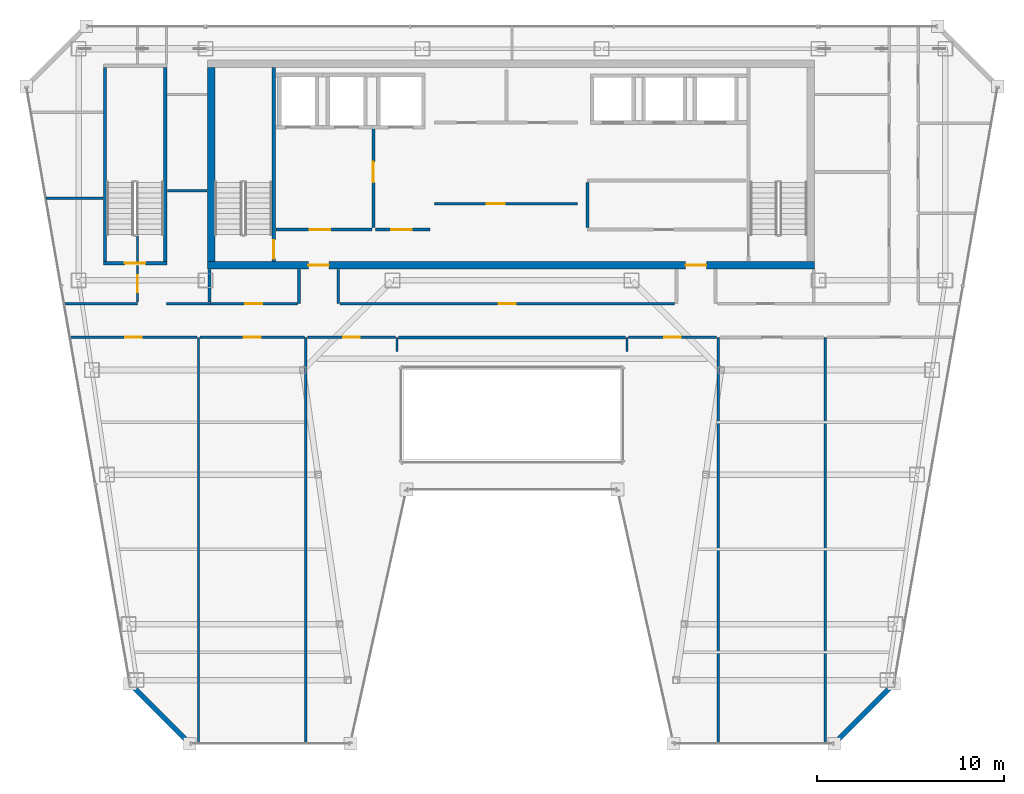
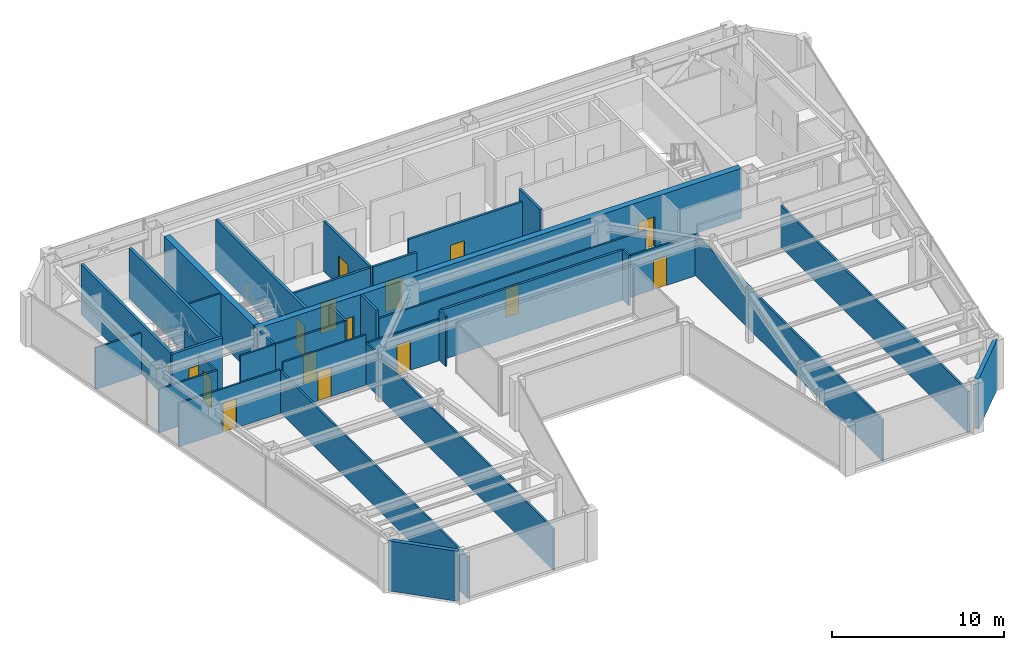
# One storey, part 26 of 32: 35 walls, 15 doors, 15 openings.
"""IFC4 building model written with IfcOpenShell, lengths in metres."""

from ifc_helpers import new_model, si_unit, direction, frame, frame_2d, origin, place, context, subcontext, project, spatial, rectangle, extrude, material, layer, layer_set, type_object, element, fill, save


model = new_model("IFC4")

# Units and contexts
model_context = context("Model", 3, precision=1e-05, world=origin(), true_north=direction((0.0, 1.0)))
body_context = subcontext(model_context, "Body", "Model", "MODEL_VIEW")
ifc_project = project(units=[si_unit("LENGTHUNIT", "METRE"), si_unit("AREAUNIT", "SQUARE_METRE"), si_unit("VOLUMEUNIT", "CUBIC_METRE"), si_unit("PLANEANGLEUNIT", "RADIAN"), si_unit("MASSUNIT", "GRAM", prefix="KILO")], contexts=[model_context])

# Site, building, storey
site_placement = place(None, origin())
site = spatial("IfcSite", under=ifc_project, at=site_placement, CompositionType="ELEMENT")
building_placement = place(site_placement, origin())
building = spatial("IfcBuilding", under=site, at=building_placement, Name="Saevonmaru Cultural Tower", CompositionType="ELEMENT")
storey_placement = place(building_placement, frame((0.0, 0.0, 242.0)))
storey = spatial("IfcBuildingStorey", under=building, at=storey_placement, Name="L56", CompositionType="ELEMENT", Elevation=242.0)

# Wall, openings, doors
ifc_material_1 = material(Name="Concrete C50/60", Category="concrete")
ifc_layer_1 = layer(ifc_material_1, 0.39990234375, Name="Concrete C50/60")
ifc_layer_set_1 = layer_set([ifc_layer_1], Name="Concrete C50/60")
wall_type_1 = type_object("IfcWallType", Name="WL-CORE-400", PredefinedType="SHEAR", material=ifc_layer_set_1)
wall_1_placement = place(storey_placement, frame((13.699951171875, 43.199951171875, 0.0), z_axis=(0.0, 0.0, 1.0), x_axis=(1.0, 0.0, 0.0)))
wall_1 = element("IfcWall", 1, at=wall_1_placement, inside=storey, type_object=wall_type_1, Name="L56 Tower RC core shear wall S", PredefinedType="SHEAR", context=body_context, shape_type="SweptSolid", body=[
    extrude(rectangle(XDim=32.5, YDim=0.39990234375, at=frame_2d((16.25, 0.0))), origin(), (0.0, 0.0, 1.0), 3.550048828125),
])
opening_1_placement = place(wall_1_placement, frame((5.39990234375, 0.0, 0.0)))
opening_1 = element("IfcOpeningElement", 2, at=opening_1_placement, cuts=wall_1, Name="Opening FD-2", PredefinedType="OPENING", context=body_context, shape_type="SweptSolid", body=[
    extrude(rectangle(XDim=1.10009765625, YDim=2.14990234375, at=frame_2d((0.550048828125, 1.074951171875))), frame((0.0, 0.2099609375, 0.0), z_axis=(0.0, -1.0, 0.0), x_axis=(1.0, 0.0, 0.0)), (0.0, 0.0, 1.0), 0.419921875),
])
opening_2_placement = place(wall_1_placement, frame((25.60009765625, 0.0, 0.0)))
opening_2 = element("IfcOpeningElement", 3, at=opening_2_placement, cuts=wall_1, Name="Opening FD-2", PredefinedType="OPENING", context=body_context, shape_type="SweptSolid", body=[
    extrude(rectangle(XDim=1.10009765625, YDim=2.14990234375, at=frame_2d((0.550048828125, 1.074951171875))), frame((0.0, 0.2099609375, 0.0), z_axis=(0.0, -1.0, 0.0), x_axis=(1.0, 0.0, 0.0)), (0.0, 0.0, 1.0), 0.419921875),
])
ifc_material_2 = material(Name="Satin Bronze Anodised Aluminium", Category="aluminium")
door_type_1 = type_object("IfcDoorType", Name="DR-FD60-1100", OperationType="SINGLE_SWING_LEFT", PredefinedType="DOOR", material=ifc_material_2)
door_1_placement = place(opening_1_placement, origin())
door_1 = element("IfcDoor", 4, at=door_1_placement, inside=storey, type_object=door_type_1, Name="L56 Core West Lobby Fire Door", OperationType="SINGLE_SWING_LEFT", OverallHeight=2.14990234375, OverallWidth=1.10009765625, PredefinedType="DOOR", context=body_context, shape_type="SweptSolid", body=[
    extrude(rectangle(XDim=1.10009765625, YDim=2.14990234375, at=frame_2d((0.550048828125, 1.074951171875))), frame((0.0, 0.02490234375, 0.0), z_axis=(0.0, -1.0, 0.0), x_axis=(1.0, 0.0, 0.0)), (0.0, 0.0, 1.0), 0.050048828125),
])
fill(opening_1, door_1)
door_2_placement = place(opening_2_placement, origin())
door_2 = element("IfcDoor", 5, at=door_2_placement, inside=storey, type_object=door_type_1, Name="L56 Core East Lobby Fire Door", OperationType="SINGLE_SWING_LEFT", OverallHeight=2.14990234375, OverallWidth=1.10009765625, PredefinedType="DOOR", context=body_context, shape_type="SweptSolid", body=[
    extrude(rectangle(XDim=1.10009765625, YDim=2.14990234375, at=frame_2d((0.550048828125, 1.074951171875))), frame((0.0, 0.02490234375, 0.0), z_axis=(0.0, -1.0, 0.0), x_axis=(1.0, 0.0, 0.0)), (0.0, 0.0, 1.0), 0.050048828125),
])
fill(opening_2, door_2)

# Wall
wall_2_placement = place(storey_placement, frame((13.89990234375, 43.39990234375, 0.0), z_axis=(0.0, 0.0, 1.0), x_axis=(0.0, 1.0, 0.0)))
element("IfcWall", 6, at=wall_2_placement, inside=storey, type_object=wall_type_1, Name="L56 Tower RC core shear wall W", PredefinedType="SHEAR", context=body_context, shape_type="SweptSolid", body=[
    extrude(rectangle(XDim=10.400146484375, YDim=0.39990234375, at=frame_2d((5.2001953125, 0.0))), origin(), (0.0, 0.0, 1.0), 3.550048828125),
])

# Wall, opening, door
ifc_material_3 = material(Name="Gypsum Fireboard Partition", Category="gypsum")
ifc_layer_2 = layer(ifc_material_3, 0.14990234375, Name="Gypsum Fireboard Partition")
ifc_layer_set_2 = layer_set([ifc_layer_2], Name="Gypsum Fireboard Partition")
wall_type_2 = type_object("IfcWallType", Name="WL-CORE-PART-150", PredefinedType="PARTITIONING", material=ifc_layer_set_2)
wall_3_placement = place(storey_placement, frame((17.360107421875, 45.1201171875, 0.0), z_axis=(0.0, 0.0, 1.0), x_axis=(1.0, 0.0, 0.0)))
wall_3 = element("IfcWall", 7, at=wall_3_placement, inside=storey, type_object=wall_type_2, Name="L56 Firefighting Lift Lobby South Wall", PredefinedType="PARTITIONING", context=body_context, shape_type="SweptSolid", body=[
    extrude(rectangle(XDim=5.139892578125, YDim=0.14990234375, at=frame_2d((2.56982421875, 0.0))), origin(), (0.0, 0.0, 1.0), 3.550048828125),
])
opening_3_placement = place(wall_3_placement, frame((1.800048828125, 0.0, 0.0)))
opening_3 = element("IfcOpeningElement", 8, at=opening_3_placement, cuts=wall_3, Name="Opening FD-2", PredefinedType="OPENING", context=body_context, shape_type="SweptSolid", body=[
    extrude(rectangle(XDim=1.10009765625, YDim=2.14990234375, at=frame_2d((0.550048828125, 1.074951171875))), frame((0.0, 0.0849609375, 0.0), z_axis=(0.0, -1.0, 0.0), x_axis=(1.0, 0.0, 0.0)), (0.0, 0.0, 1.0), 0.169921875),
])
door_3_placement = place(opening_3_placement, origin())
door_3 = element("IfcDoor", 9, at=door_3_placement, inside=storey, type_object=door_type_1, Name="L56 Firefighting Lift Lobby South Door", OperationType="SINGLE_SWING_LEFT", OverallHeight=2.14990234375, OverallWidth=1.10009765625, PredefinedType="DOOR", context=body_context, shape_type="SweptSolid", body=[
    extrude(rectangle(XDim=1.10009765625, YDim=2.14990234375, at=frame_2d((0.550048828125, 1.074951171875))), frame((0.0, 0.02490234375, 0.0), z_axis=(0.0, -1.0, 0.0), x_axis=(1.0, 0.0, 0.0)), (0.0, 0.0, 1.0), 0.050048828125),
])
fill(opening_3, door_3)

wall_4_placement = place(storey_placement, frame((22.580078125, 50.550048828125, 0.0), z_axis=(0.0, 0.0, 1.0), x_axis=(0.0, -1.0, 0.0)))
wall_4 = element("IfcWall", 10, at=wall_4_placement, inside=storey, type_object=wall_type_2, Name="L56 Firefighting Lift Lobby East Wall", PredefinedType="PARTITIONING", context=body_context, shape_type="SweptSolid", body=[
    extrude(rectangle(XDim=5.330078125, YDim=0.14990234375, at=frame_2d((2.6650390625, 0.0))), origin(), (0.0, 0.0, 1.0), 3.550048828125),
])
opening_4_placement = place(wall_4_placement, frame((1.800048828125, 0.0, 0.0)))
opening_4 = element("IfcOpeningElement", 11, at=opening_4_placement, cuts=wall_4, Name="Opening FD-2", PredefinedType="OPENING", context=body_context, shape_type="SweptSolid", body=[
    extrude(rectangle(XDim=1.10009765625, YDim=2.14990234375, at=frame_2d((0.550048828125, 1.074951171875))), frame((0.0, 0.0849609375, 0.0), z_axis=(0.0, -1.0, 0.0), x_axis=(1.0, 0.0, 0.0)), (0.0, 0.0, 1.0), 0.169921875),
])
door_4_placement = place(opening_4_placement, origin())
door_4 = element("IfcDoor", 12, at=door_4_placement, inside=storey, type_object=door_type_1, Name="L56 Firefighting Lift Lobby East Door", OperationType="SINGLE_SWING_LEFT", OverallHeight=2.14990234375, OverallWidth=1.10009765625, PredefinedType="DOOR", context=body_context, shape_type="SweptSolid", body=[
    extrude(rectangle(XDim=1.10009765625, YDim=2.14990234375, at=frame_2d((0.550048828125, 1.074951171875))), frame((0.0, 0.02490234375, 0.0), z_axis=(0.0, -1.0, 0.0), x_axis=(1.0, 0.0, 0.0)), (0.0, 0.0, 1.0), 0.050048828125),
])
fill(opening_4, door_4)

wall_5_placement = place(storey_placement, frame((22.679931640625, 45.1201171875, 0.0), z_axis=(0.0, 0.0, 1.0), x_axis=(1.0, 0.0, 0.0)))
wall_5 = element("IfcWall", 13, at=wall_5_placement, inside=storey, type_object=wall_type_2, Name="L56 Service Lift Vestibule Wall", PredefinedType="PARTITIONING", context=body_context, shape_type="SweptSolid", body=[
    extrude(rectangle(XDim=2.920166015625, YDim=0.14990234375, at=frame_2d((1.4599609375, 0.0))), origin(), (0.0, 0.0, 1.0), 3.550048828125),
])
opening_5_placement = place(wall_5_placement, frame((0.85009765625, 0.0, 0.0)))
opening_5 = element("IfcOpeningElement", 14, at=opening_5_placement, cuts=wall_5, Name="Opening FD-2", PredefinedType="OPENING", context=body_context, shape_type="SweptSolid", body=[
    extrude(rectangle(XDim=1.10009765625, YDim=2.14990234375, at=frame_2d((0.550048828125, 1.074951171875))), frame((0.0, 0.0849609375, 0.0), z_axis=(0.0, -1.0, 0.0), x_axis=(1.0, 0.0, 0.0)), (0.0, 0.0, 1.0), 0.169921875),
])
door_5_placement = place(opening_5_placement, origin())
door_5 = element("IfcDoor", 15, at=door_5_placement, inside=storey, type_object=door_type_1, Name="L56 Service Lift Vestibule Door", OperationType="SINGLE_SWING_LEFT", OverallHeight=2.14990234375, OverallWidth=1.10009765625, PredefinedType="DOOR", context=body_context, shape_type="SweptSolid", body=[
    extrude(rectangle(XDim=1.10009765625, YDim=2.14990234375, at=frame_2d((0.550048828125, 1.074951171875))), frame((0.0, 0.02490234375, 0.0), z_axis=(0.0, -1.0, 0.0), x_axis=(1.0, 0.0, 0.0)), (0.0, 0.0, 1.0), 0.050048828125),
])
fill(opening_5, door_5)

# Wall
wall_6_placement = place(storey_placement, frame((34.050048828125, 45.219970703125, 0.0), z_axis=(0.0, 0.0, 1.0), x_axis=(0.0, 1.0, 0.0)))
element("IfcWall", 16, at=wall_6_placement, inside=storey, type_object=wall_type_2, Name="L56 Core Service West Wall", PredefinedType="PARTITIONING", context=body_context, shape_type="SweptSolid", body=[
    extrude(rectangle(XDim=2.429931640625, YDim=0.14990234375, at=frame_2d((1.21484375, 0.0))), origin(), (0.0, 0.0, 1.0), 3.550048828125),
])

# Wall, opening, door
wall_7_placement = place(storey_placement, frame((25.85009765625, 46.5, 0.0), z_axis=(0.0, 0.0, 1.0), x_axis=(1.0, 0.0, 0.0)))
wall_7 = element("IfcWall", 17, at=wall_7_placement, inside=storey, type_object=wall_type_2, Name="L56 Reclaimed Mid-Shaft Wall", PredefinedType="PARTITIONING", context=body_context, shape_type="SweptSolid", body=[
    extrude(rectangle(XDim=7.64990234375, YDim=0.14990234375, at=frame_2d((3.824951171875, 0.0))), origin(), (0.0, 0.0, 1.0), 3.550048828125),
])
opening_6_placement = place(wall_7_placement, frame((2.800048828125, 0.0, 0.0)))
opening_6 = element("IfcOpeningElement", 18, at=opening_6_placement, cuts=wall_7, Name="Opening FD-4", PredefinedType="OPENING", context=body_context, shape_type="SweptSolid", body=[
    extrude(rectangle(XDim=0.949951171875, YDim=2.14990234375, at=frame_2d((0.47509765625, 1.074951171875))), frame((0.0, 0.0849609375, 0.0), z_axis=(0.0, -1.0, 0.0), x_axis=(1.0, 0.0, 0.0)), (0.0, 0.0, 1.0), 0.169921875),
])
door_type_2 = type_object("IfcDoorType", Name="DR-FD60-950", OperationType="SINGLE_SWING_LEFT", PredefinedType="DOOR", material=ifc_material_2)
door_6_placement = place(opening_6_placement, origin())
door_6 = element("IfcDoor", 19, at=door_6_placement, inside=storey, type_object=door_type_2, Name="L56 Reclaimed Manuscript Storage Door", OperationType="SINGLE_SWING_LEFT", OverallHeight=2.14990234375, OverallWidth=0.949951171875, PredefinedType="DOOR", context=body_context, shape_type="SweptSolid", body=[
    extrude(rectangle(XDim=0.949951171875, YDim=2.14990234375, at=frame_2d((0.47509765625, 1.074951171875))), frame((0.0, 0.02490234375, 0.0), z_axis=(0.0, -1.0, 0.0), x_axis=(1.0, 0.0, 0.0)), (0.0, 0.0, 1.0), 0.050048828125),
])
fill(opening_6, door_6)

# Walls
ifc_material_4 = material(Name="Granite-Clad Precast Concrete C40/50", Category="masonry")
ifc_layer_3 = layer(ifc_material_4, 0.260009765625, Name="Granite-Clad Precast Concrete C40/50")
ifc_layer_set_3 = layer_set([ifc_layer_3], Name="Granite-Clad Precast Concrete C40/50")
wall_type_3 = type_object("IfcWallType", Name="WL-EXT-SPANDREL-260", PredefinedType="STANDARD", material=ifc_layer_set_3)
for number, where, z_axis, x_axis, name in (
    (20, (9.659912109375, 20.68701171875, 0.0), (0.0, 0.0, 1.0), (0.70707775441, -0.707135806771, 0.0), "L56 Chamfer Corner Spandrel Wall E1"),
    (21, (47.366455078125, 17.713134765625, 0.0), (0.0, 0.0, 1.0), (0.70707775441, 0.707135806771, 0.0), "L56 Chamfer Corner Spandrel Wall E7"),
):
    element("IfcWall", number, at=place(storey_placement, frame(where, z_axis=z_axis, x_axis=x_axis)), inside=storey, type_object=wall_type_3, Name=name, PredefinedType="STANDARD", context=body_context, shape_type="SweptSolid", body=[
        extrude(rectangle(XDim=4.20556640625, YDim=0.260009765625, at=frame_2d((2.102783203125, 0.0))), origin(), (0.0, 0.0, 1.0), 3.550048828125),
    ])
ifc_layer_4 = layer(ifc_material_3, 0.14990234375, Name="Gypsum Fireboard Partition")
ifc_layer_set_4 = layer_set([ifc_layer_4], Name="Gypsum Fireboard Partition")
wall_type_4 = type_object("IfcWallType", Name="WL-PART-FIRE-150", PredefinedType="PARTITIONING", material=ifc_layer_set_4)
wall_8_placement = place(storey_placement, frame((13.800048828125, 41.22998046875, 0.0), z_axis=(0.0, 0.0, 1.0), x_axis=(0.0, 1.0, 0.0)))
element("IfcWall", 22, at=wall_8_placement, inside=storey, type_object=wall_type_4, Name="L56 Core Portal Side Wall W0", PredefinedType="PARTITIONING", context=body_context, shape_type="SweptSolid", body=[
    extrude(rectangle(XDim=1.75, YDim=0.14990234375, at=frame_2d((0.875, 0.0))), origin(), (0.0, 0.0, 1.0), 3.550048828125),
])
for number, where, z_axis, x_axis, name in (
    (23, (18.60009765625, 41.14990234375, 0.0), (0.0, 0.0, 1.0), (0.0, 1.0, 0.0), "L56 Core Portal Side Wall W1"),
    (24, (20.699951171875, 41.14990234375, 0.0), (0.0, 0.0, 1.0), (0.0, 1.0, 0.0), "L56 Core Portal Side Wall W2"),
):
    element("IfcWall", number, at=place(storey_placement, frame(where, z_axis=z_axis, x_axis=x_axis)), inside=storey, type_object=wall_type_4, Name=name, PredefinedType="PARTITIONING", context=body_context, shape_type="SweptSolid", body=[
        extrude(rectangle(XDim=1.830078125, YDim=0.14990234375, at=frame_2d((0.9150390625, 0.0))), origin(), (0.0, 0.0, 1.0), 3.550048828125),
    ])
wall_9_placement = place(storey_placement, frame((23.929931640625, 39.35009765625, 0.0), z_axis=(0.0, 0.0, 1.0), x_axis=(1.0, 0.0, 0.0)))
element("IfcWall", 25, at=wall_9_placement, inside=storey, type_object=wall_type_4, Name="L56 North Atrium Corridor Wall", PredefinedType="PARTITIONING", context=body_context, shape_type="SweptSolid", body=[
    extrude(rectangle(XDim=12.14013671875, YDim=0.14990234375, at=frame_2d((6.070068359375, 0.0))), origin(), (0.0, 0.0, 1.0), 3.550048828125),
])
ifc_layer_5 = layer(ifc_material_3, 0.1201171875, Name="Gypsum Fireboard Partition")
ifc_layer_set_5 = layer_set([ifc_layer_5], Name="Gypsum Fireboard Partition")
wall_type_5 = type_object("IfcWallType", Name="WL-PART-GYP-120", PredefinedType="PARTITIONING", material=ifc_layer_set_5)
wall_10_placement = place(storey_placement, frame((6.0244140625, 41.14990234375, 0.0), z_axis=(0.0, 0.0, 1.0), x_axis=(1.0, 0.0, 0.0)))
element("IfcWall", 26, at=wall_10_placement, inside=storey, type_object=wall_type_5, Name="L56 NW Wing South Wall", PredefinedType="PARTITIONING", context=body_context, shape_type="SweptSolid", body=[
    extrude(rectangle(XDim=3.925537109375, YDim=0.1201171875, at=frame_2d((1.962890625, 0.0))), origin(), (0.0, 0.0, 1.0), 3.0849609375),
])
wall_11_placement = place(storey_placement, frame((11.5, 41.14990234375, 0.0), z_axis=(0.0, 0.0, 1.0), x_axis=(1.0, 0.0, 0.0)))
element("IfcWall", 27, at=wall_11_placement, inside=storey, type_object=wall_type_5, Name="L56 NW Inner South Wall", PredefinedType="PARTITIONING", context=body_context, shape_type="SweptSolid", body=[
    extrude(rectangle(XDim=2.35009765625, YDim=0.1201171875, at=frame_2d((1.175048828125, 0.0))), origin(), (0.0, 0.0, 1.0), 3.550048828125),
])
wall_12_placement = place(storey_placement, frame((5.045166015625, 46.800048828125, 0.0), z_axis=(0.0, 0.0, 1.0), x_axis=(1.0, 0.0, 0.0)))
element("IfcWall", 28, at=wall_12_placement, inside=storey, type_object=wall_type_5, Name="L56 NW Studio Divider 1", PredefinedType="PARTITIONING", context=body_context, shape_type="SweptSolid", body=[
    extrude(rectangle(XDim=3.054931640625, YDim=0.1201171875, at=frame_2d((1.52734375, 0.0))), origin(), (0.0, 0.0, 1.0), 2.947021484375),
])

# Wall, opening, door
wall_13_placement = place(storey_placement, frame((9.949951171875, 41.22998046875, 0.0), z_axis=(0.0, 0.0, 1.0), x_axis=(0.0, 1.0, 0.0)))
wall_13 = element("IfcWall", 29, at=wall_13_placement, inside=storey, type_object=wall_type_5, Name="L56 Urban Design Meeting Room Corridor Wall", PredefinedType="PARTITIONING", context=body_context, shape_type="SweptSolid", body=[
    extrude(rectangle(XDim=1.969970703125, YDim=0.1201171875, at=frame_2d((0.98486328125, 0.0))), origin(), (0.0, 0.0, 1.0), 2.947021484375),
])
opening_7_placement = place(wall_13_placement, frame((0.534912109375, 0.0, 0.0)))
opening_7 = element("IfcOpeningElement", 30, at=opening_7_placement, cuts=wall_13, Name="Opening ID-2", PredefinedType="OPENING", context=body_context, shape_type="SweptSolid", body=[
    extrude(rectangle(XDim=0.89990234375, YDim=2.10009765625, at=frame_2d((0.449951171875, 1.050048828125))), frame((0.0, 0.070068359375, 0.0), z_axis=(0.0, -1.0, 0.0), x_axis=(1.0, 0.0, 0.0)), (0.0, 0.0, 1.0), 0.14013671875),
])
ifc_material_5 = material(Name="Acoustic Stained Oak Timber", Category="wood")
door_type_3 = type_object("IfcDoorType", Name="DR-INT-900", OperationType="SINGLE_SWING_RIGHT", PredefinedType="DOOR", material=ifc_material_5)
door_7_placement = place(opening_7_placement, origin())
door_7 = element("IfcDoor", 31, at=door_7_placement, inside=storey, type_object=door_type_3, Name="L56 Urban Design Meeting Room Door", OperationType="SINGLE_SWING_LEFT", OverallHeight=2.10009765625, OverallWidth=0.89990234375, PredefinedType="DOOR", context=body_context, shape_type="SweptSolid", body=[
    extrude(rectangle(XDim=0.89990234375, YDim=2.10009765625, at=frame_2d((0.449951171875, 1.050048828125))), frame((0.0, 0.02490234375, 0.0), z_axis=(0.0, -1.0, 0.0), x_axis=(1.0, 0.0, 0.0)), (0.0, 0.0, 1.0), 0.050048828125),
])
fill(opening_7, door_7)

# Walls
wall_14_placement = place(storey_placement, frame((9.949951171875, 43.419921875, 0.0), z_axis=(0.0, 0.0, 1.0), x_axis=(0.0, 1.0, 0.0)))
element("IfcWall", 32, at=wall_14_placement, inside=storey, type_object=wall_type_5, Name="L56 Urban Design Meeting Room Corridor Wall (2)", PredefinedType="PARTITIONING", context=body_context, shape_type="SweptSolid", body=[
    extrude(rectangle(XDim=1.4501953125, YDim=0.1201171875, at=frame_2d((0.72509765625, 0.0))), origin(), (0.0, 0.0, 1.0), 3.550048828125),
])
wall_15_placement = place(storey_placement, frame((11.550048828125, 47.199951171875, 0.0), z_axis=(0.0, 0.0, 1.0), x_axis=(1.0, 0.0, 0.0)))
element("IfcWall", 33, at=wall_15_placement, inside=storey, type_object=wall_type_5, Name="L56 NW Inner Divider", PredefinedType="PARTITIONING", context=body_context, shape_type="SweptSolid", body=[
    extrude(rectangle(XDim=2.1298828125, YDim=0.1201171875, at=frame_2d((1.06494140625, 0.0))), origin(), (0.0, 0.0, 1.0), 3.550048828125),
])

# Wall, opening, door
wall_16_placement = place(storey_placement, frame((13.85009765625, 41.14990234375, 0.0), z_axis=(0.0, 0.0, 1.0), x_axis=(1.0, 0.0, 0.0)))
wall_16 = element("IfcWall", 34, at=wall_16_placement, inside=storey, type_object=wall_type_5, Name="L56 Urban Design Meeting Room Corridor Wall", PredefinedType="PARTITIONING", context=body_context, shape_type="SweptSolid", body=[
    extrude(rectangle(XDim=4.65478515625, YDim=0.1201171875, at=frame_2d((2.327392578125, 0.0))), origin(), (0.0, 0.0, 1.0), 3.550048828125),
])
opening_8_placement = place(wall_16_placement, frame((1.876953125, 0.0, 0.0)))
opening_8 = element("IfcOpeningElement", 35, at=opening_8_placement, cuts=wall_16, Name="Opening ID-2", PredefinedType="OPENING", context=body_context, shape_type="SweptSolid", body=[
    extrude(rectangle(XDim=0.89990234375, YDim=2.10009765625, at=frame_2d((0.449951171875, 1.050048828125))), frame((0.0, 0.070068359375, 0.0), z_axis=(0.0, -1.0, 0.0), x_axis=(1.0, 0.0, 0.0)), (0.0, 0.0, 1.0), 0.14013671875),
])
door_8_placement = place(opening_8_placement, origin())
door_8 = element("IfcDoor", 36, at=door_8_placement, inside=storey, type_object=door_type_3, Name="L56 Urban Design Meeting Room Door", OperationType="SINGLE_SWING_LEFT", OverallHeight=2.10009765625, OverallWidth=0.89990234375, PredefinedType="DOOR", context=body_context, shape_type="SweptSolid", body=[
    extrude(rectangle(XDim=0.89990234375, YDim=2.10009765625, at=frame_2d((0.449951171875, 1.050048828125))), frame((0.0, 0.02490234375, 0.0), z_axis=(0.0, -1.0, 0.0), x_axis=(1.0, 0.0, 0.0)), (0.0, 0.0, 1.0), 0.050048828125),
])
fill(opening_8, door_8)

wall_17_placement = place(storey_placement, frame((20.794921875, 41.14990234375, 0.0), z_axis=(0.0, 0.0, 1.0), x_axis=(1.0, 0.0, 0.0)))
wall_17 = element("IfcWall", 37, at=wall_17_placement, inside=storey, type_object=wall_type_5, Name="L56 Curatorial Board Meeting Room Corridor Wall", PredefinedType="PARTITIONING", context=body_context, shape_type="SweptSolid", body=[
    extrude(rectangle(XDim=17.91015625, YDim=0.1201171875, at=frame_2d((8.955078125, 0.0))), origin(), (0.0, 0.0, 1.0), 2.947021484375),
])
opening_9_placement = place(wall_17_placement, frame((8.5048828125, 0.0, 0.0)))
opening_9 = element("IfcOpeningElement", 38, at=opening_9_placement, cuts=wall_17, Name="Opening ID-2", PredefinedType="OPENING", context=body_context, shape_type="SweptSolid", body=[
    extrude(rectangle(XDim=0.89990234375, YDim=2.10009765625, at=frame_2d((0.449951171875, 1.050048828125))), frame((0.0, 0.070068359375, 0.0), z_axis=(0.0, -1.0, 0.0), x_axis=(1.0, 0.0, 0.0)), (0.0, 0.0, 1.0), 0.14013671875),
])
door_9_placement = place(opening_9_placement, origin())
door_9 = element("IfcDoor", 39, at=door_9_placement, inside=storey, type_object=door_type_3, Name="L56 Curatorial Board Meeting Room Door", OperationType="SINGLE_SWING_RIGHT", OverallHeight=2.10009765625, OverallWidth=0.89990234375, PredefinedType="DOOR", context=body_context, shape_type="SweptSolid", body=[
    extrude(rectangle(XDim=0.89990234375, YDim=2.10009765625, at=frame_2d((0.449951171875, 1.050048828125))), frame((0.0, 0.02490234375, 0.0), z_axis=(0.0, -1.0, 0.0), x_axis=(1.0, 0.0, 0.0)), (0.0, 0.0, 1.0), 0.050048828125),
])
fill(opening_9, door_9)

# Walls
for number, where, z_axis, x_axis, name in (
    (40, (13.219970703125, 17.60498046875, 0.0), (0.0, 0.0, 1.0), (0.0, 1.0, 0.0), "L56 West Bay Divider 1"),
    (41, (18.9599609375, 17.60498046875, 0.0), (0.0, 0.0, 1.0), (0.0, 1.0, 0.0), "L56 West Bay Divider 2"),
):
    element("IfcWall", number, at=place(storey_placement, frame(where, z_axis=z_axis, x_axis=x_axis)), inside=storey, type_object=wall_type_5, Name=name, PredefinedType="PARTITIONING", context=body_context, shape_type="SweptSolid", body=[
        extrude(rectangle(XDim=21.7451171875, YDim=0.1201171875, at=frame_2d((10.87255859375, 0.0))), origin(), (0.0, 0.0, 1.0), 2.947021484375),
    ])
for number, where, z_axis, x_axis, name in (
    (42, (23.85009765625, 38.60009765625, 0.0), (0.0, 0.0, 1.0), (0.0, 1.0, 0.0), "L56 North Atrium West Wall"),
    (43, (36.14990234375, 38.60009765625, 0.0), (0.0, 0.0, 1.0), (0.0, 1.0, 0.0), "L56 North Atrium East Wall"),
):
    element("IfcWall", number, at=place(storey_placement, frame(where, z_axis=z_axis, x_axis=x_axis)), inside=storey, type_object=wall_type_5, Name=name, PredefinedType="PARTITIONING", context=body_context, shape_type="SweptSolid", body=[
        extrude(rectangle(XDim=0.75, YDim=0.1201171875, at=frame_2d((0.375, 0.0))), origin(), (0.0, 0.0, 1.0), 3.550048828125),
    ])

# Wall, opening, door
wall_18_placement = place(storey_placement, frame((6.33642578125, 39.35009765625, 0.0), z_axis=(0.0, 0.0, 1.0), x_axis=(1.0, 0.0, 0.0)))
wall_18 = element("IfcWall", 44, at=wall_18_placement, inside=storey, type_object=wall_type_5, Name="L56 Urban Design Meeting Room Corridor Wall", PredefinedType="PARTITIONING", context=body_context, shape_type="SweptSolid", body=[
    extrude(rectangle(XDim=6.803466796875, YDim=0.1201171875, at=frame_2d((3.40185546875, 0.0))), origin(), (0.0, 0.0, 1.0), 3.0849609375),
])
opening_10_placement = place(wall_18_placement, frame((2.951904296875, 0.0, 0.0)))
opening_10 = element("IfcOpeningElement", 45, at=opening_10_placement, cuts=wall_18, Name="Opening ID-2", PredefinedType="OPENING", context=body_context, shape_type="SweptSolid", body=[
    extrude(rectangle(XDim=0.89990234375, YDim=2.10009765625, at=frame_2d((0.449951171875, 1.050048828125))), frame((0.0, 0.070068359375, 0.0), z_axis=(0.0, -1.0, 0.0), x_axis=(1.0, 0.0, 0.0)), (0.0, 0.0, 1.0), 0.14013671875),
])
door_10_placement = place(opening_10_placement, origin())
door_10 = element("IfcDoor", 46, at=door_10_placement, inside=storey, type_object=door_type_3, Name="L56 Urban Design Meeting Room Door", OperationType="SINGLE_SWING_RIGHT", OverallHeight=2.10009765625, OverallWidth=0.89990234375, PredefinedType="DOOR", context=body_context, shape_type="SweptSolid", body=[
    extrude(rectangle(XDim=0.89990234375, YDim=2.10009765625, at=frame_2d((0.449951171875, 1.050048828125))), frame((0.0, 0.02490234375, 0.0), z_axis=(0.0, -1.0, 0.0), x_axis=(1.0, 0.0, 0.0)), (0.0, 0.0, 1.0), 0.050048828125),
])
fill(opening_10, door_10)

wall_19_placement = place(storey_placement, frame((13.300048828125, 39.35009765625, 0.0), z_axis=(0.0, 0.0, 1.0), x_axis=(1.0, 0.0, 0.0)))
wall_19 = element("IfcWall", 47, at=wall_19_placement, inside=storey, type_object=wall_type_5, Name="L56 Curatorial Board Meeting Room Corridor Wall", PredefinedType="PARTITIONING", context=body_context, shape_type="SweptSolid", body=[
    extrude(rectangle(XDim=5.579833984375, YDim=0.1201171875, at=frame_2d((2.7900390625, 0.0))), origin(), (0.0, 0.0, 1.0), 3.550048828125),
])
opening_11_placement = place(wall_19_placement, frame((2.340087890625, 0.0, 0.0)))
opening_11 = element("IfcOpeningElement", 48, at=opening_11_placement, cuts=wall_19, Name="Opening ID-2", PredefinedType="OPENING", context=body_context, shape_type="SweptSolid", body=[
    extrude(rectangle(XDim=0.89990234375, YDim=2.10009765625, at=frame_2d((0.449951171875, 1.050048828125))), frame((0.0, 0.070068359375, 0.0), z_axis=(0.0, -1.0, 0.0), x_axis=(1.0, 0.0, 0.0)), (0.0, 0.0, 1.0), 0.14013671875),
])
door_11_placement = place(opening_11_placement, origin())
door_11 = element("IfcDoor", 49, at=door_11_placement, inside=storey, type_object=door_type_3, Name="L56 Curatorial Board Meeting Room Door", OperationType="SINGLE_SWING_LEFT", OverallHeight=2.10009765625, OverallWidth=0.89990234375, PredefinedType="DOOR", context=body_context, shape_type="SweptSolid", body=[
    extrude(rectangle(XDim=0.89990234375, YDim=2.10009765625, at=frame_2d((0.449951171875, 1.050048828125))), frame((0.0, 0.02490234375, 0.0), z_axis=(0.0, -1.0, 0.0), x_axis=(1.0, 0.0, 0.0)), (0.0, 0.0, 1.0), 0.050048828125),
])
fill(opening_11, door_11)

wall_20_placement = place(storey_placement, frame((19.0400390625, 39.35009765625, 0.0), z_axis=(0.0, 0.0, 1.0), x_axis=(1.0, 0.0, 0.0)))
wall_20 = element("IfcWall", 50, at=wall_20_placement, inside=storey, type_object=wall_type_5, Name="L56 Literature Seminar Meeting Room Corridor Wall", PredefinedType="PARTITIONING", context=body_context, shape_type="SweptSolid", body=[
    extrude(rectangle(XDim=4.72998046875, YDim=0.1201171875, at=frame_2d((2.364990234375, 0.0))), origin(), (0.0, 0.0, 1.0), 2.947021484375),
])
opening_12_placement = place(wall_20_placement, frame((1.9150390625, 0.0, 0.0)))
opening_12 = element("IfcOpeningElement", 51, at=opening_12_placement, cuts=wall_20, Name="Opening ID-2", PredefinedType="OPENING", context=body_context, shape_type="SweptSolid", body=[
    extrude(rectangle(XDim=0.89990234375, YDim=2.10009765625, at=frame_2d((0.449951171875, 1.050048828125))), frame((0.0, 0.070068359375, 0.0), z_axis=(0.0, -1.0, 0.0), x_axis=(1.0, 0.0, 0.0)), (0.0, 0.0, 1.0), 0.14013671875),
])
door_12_placement = place(opening_12_placement, origin())
door_12 = element("IfcDoor", 52, at=door_12_placement, inside=storey, type_object=door_type_3, Name="L56 Literature Seminar Meeting Room Door", OperationType="SINGLE_SWING_RIGHT", OverallHeight=2.10009765625, OverallWidth=0.89990234375, PredefinedType="DOOR", context=body_context, shape_type="SweptSolid", body=[
    extrude(rectangle(XDim=0.89990234375, YDim=2.10009765625, at=frame_2d((0.449951171875, 1.050048828125))), frame((0.0, 0.02490234375, 0.0), z_axis=(0.0, -1.0, 0.0), x_axis=(1.0, 0.0, 0.0)), (0.0, 0.0, 1.0), 0.050048828125),
])
fill(opening_12, door_12)

wall_21_placement = place(storey_placement, frame((36.22998046875, 39.35009765625, 0.0), z_axis=(0.0, 0.0, 1.0), x_axis=(1.0, 0.0, 0.0)))
wall_21 = element("IfcWall", 53, at=wall_21_placement, inside=storey, type_object=wall_type_5, Name="L56 Literature Seminar Meeting Room Corridor Wall", PredefinedType="PARTITIONING", context=body_context, shape_type="SweptSolid", body=[
    extrude(rectangle(XDim=4.722412109375, YDim=0.1201171875, at=frame_2d((2.361328125, 0.0))), origin(), (0.0, 0.0, 1.0), 2.947021484375),
])
opening_13_placement = place(wall_21_placement, frame((1.910888671875, 0.0, 0.0)))
opening_13 = element("IfcOpeningElement", 54, at=opening_13_placement, cuts=wall_21, Name="Opening ID-2", PredefinedType="OPENING", context=body_context, shape_type="SweptSolid", body=[
    extrude(rectangle(XDim=0.89990234375, YDim=2.10009765625, at=frame_2d((0.449951171875, 1.050048828125))), frame((0.0, 0.070068359375, 0.0), z_axis=(0.0, -1.0, 0.0), x_axis=(1.0, 0.0, 0.0)), (0.0, 0.0, 1.0), 0.14013671875),
])
door_13_placement = place(opening_13_placement, origin())
door_13 = element("IfcDoor", 55, at=door_13_placement, inside=storey, type_object=door_type_3, Name="L56 Literature Seminar Meeting Room Door", OperationType="SINGLE_SWING_LEFT", OverallHeight=2.10009765625, OverallWidth=0.89990234375, PredefinedType="DOOR", context=body_context, shape_type="SweptSolid", body=[
    extrude(rectangle(XDim=0.89990234375, YDim=2.10009765625, at=frame_2d((0.449951171875, 1.050048828125))), frame((0.0, 0.02490234375, 0.0), z_axis=(0.0, -1.0, 0.0), x_axis=(1.0, 0.0, 0.0)), (0.0, 0.0, 1.0), 0.050048828125),
])
fill(opening_13, door_13)

# Walls
ifc_layer_6 = layer(ifc_material_3, 0.135009765625, Name="Gypsum Fireboard Partition")
ifc_layer_set_6 = layer_set([ifc_layer_6], Name="Gypsum Fireboard Partition")
wall_type_6 = type_object("IfcWallType", Name="WL-PART-GYP-135", PredefinedType="PARTITIONING", material=ifc_layer_set_6)
for number, where, z_axis, x_axis, name in (
    (56, (41.0400390625, 17.60498046875, 0.0), (0.0, 0.0, 1.0), (0.0, 1.0, 0.0), "L56 East Bay Divider 1"),
    (57, (46.780029296875, 17.60498046875, 0.0), (0.0, 0.0, 1.0), (0.0, 1.0, 0.0), "L56 East Bay Divider 2"),
):
    element("IfcWall", number, at=place(storey_placement, frame(where, z_axis=z_axis, x_axis=x_axis)), inside=storey, type_object=wall_type_6, Name=name, PredefinedType="PARTITIONING", context=body_context, shape_type="SweptSolid", body=[
        extrude(rectangle(XDim=21.7451171875, YDim=0.135009765625, at=frame_2d((10.87255859375, 0.0))), origin(), (0.0, 0.0, 1.0), 2.947021484375),
    ])

# Wall, opening, door
ifc_material_6 = material(Name="Concrete C40/50", Category="concrete")
ifc_layer_7 = layer(ifc_material_6, 0.179931640625, Name="Concrete C40/50")
ifc_layer_set_7 = layer_set([ifc_layer_7], Name="Concrete C40/50")
wall_type_7 = type_object("IfcWallType", Name="WL-STSHAFT-180", PredefinedType="SHEAR", material=ifc_layer_set_7)
wall_22_placement = place(storey_placement, frame((17.239990234375, 43.39990234375, 0.0), z_axis=(0.0, 0.0, 1.0), x_axis=(0.0, 1.0, 0.0)))
wall_22 = element("IfcWall", 58, at=wall_22_placement, inside=storey, type_object=wall_type_7, Name="L56 Stair ST-1 Structural Shaft Wall 1", PredefinedType="SHEAR", context=body_context, shape_type="SweptSolid", body=[
    extrude(rectangle(XDim=10.400146484375, YDim=0.179931640625, at=frame_2d((5.2001953125, 0.0))), origin(), (0.0, 0.0, 1.0), 3.550048828125),
])
opening_14_placement = place(wall_22_placement, frame((0.159912109375, 0.0, 0.0)))
opening_14 = element("IfcOpeningElement", 59, at=opening_14_placement, cuts=wall_22, Name="Opening FD-3", PredefinedType="OPENING", context=body_context, shape_type="SweptSolid", body=[
    extrude(rectangle(XDim=1.0, YDim=2.14990234375, at=frame_2d((0.5, 1.074951171875))), frame((0.0, 0.10009765625, 0.0), z_axis=(0.0, -1.0, 0.0), x_axis=(1.0, 0.0, 0.0)), (0.0, 0.0, 1.0), 0.199951171875),
])
door_type_4 = type_object("IfcDoorType", Name="DR-FD60-1000", OperationType="SINGLE_SWING_RIGHT", PredefinedType="DOOR", material=ifc_material_2)
door_14_placement = place(opening_14_placement, origin())
door_14 = element("IfcDoor", 60, at=door_14_placement, inside=storey, type_object=door_type_4, Name="L56 Protected Stair ST-1 Fire Door", OperationType="SINGLE_SWING_RIGHT", OverallHeight=2.14990234375, OverallWidth=1.0, PredefinedType="DOOR", context=body_context, shape_type="SweptSolid", body=[
    extrude(rectangle(XDim=1.0, YDim=2.14990234375, at=frame_2d((0.5, 1.074951171875))), frame((0.0, 0.02490234375, 0.0), z_axis=(0.0, -1.0, 0.0), x_axis=(1.0, 0.0, 0.0)), (0.0, 0.0, 1.0), 0.050048828125),
])
fill(opening_14, door_14)

wall_23_placement = place(storey_placement, frame((8.1201171875, 43.31005859375, 0.0), z_axis=(0.0, 0.0, 1.0), x_axis=(1.0, 0.0, 0.0)))
wall_23 = element("IfcWall", 61, at=wall_23_placement, inside=storey, type_object=wall_type_7, Name="L56 Stair ST-3 Structural Shaft Wall 1", PredefinedType="SHEAR", context=body_context, shape_type="SweptSolid", body=[
    extrude(rectangle(XDim=3.409912109375, YDim=0.179931640625, at=frame_2d((1.705078125, 0.0))), origin(), (0.0, 0.0, 1.0), 3.550048828125),
])
opening_15_placement = place(wall_23_placement, frame((1.14990234375, 0.0, 0.0)))
opening_15 = element("IfcOpeningElement", 62, at=opening_15_placement, cuts=wall_23, Name="Opening FD-2", PredefinedType="OPENING", context=body_context, shape_type="SweptSolid", body=[
    extrude(rectangle(XDim=1.10009765625, YDim=2.14990234375, at=frame_2d((0.550048828125, 1.074951171875))), frame((0.0, 0.10009765625, 0.0), z_axis=(0.0, -1.0, 0.0), x_axis=(1.0, 0.0, 0.0)), (0.0, 0.0, 1.0), 0.199951171875),
])
door_15_placement = place(opening_15_placement, origin())
door_15 = element("IfcDoor", 63, at=door_15_placement, inside=storey, type_object=door_type_1, Name="L56 Protected Stair ST-3 Fire Door", OperationType="SINGLE_SWING_LEFT", OverallHeight=2.14990234375, OverallWidth=1.10009765625, PredefinedType="DOOR", context=body_context, shape_type="SweptSolid", body=[
    extrude(rectangle(XDim=1.10009765625, YDim=2.14990234375, at=frame_2d((0.550048828125, 1.074951171875))), frame((0.0, 0.02490234375, 0.0), z_axis=(0.0, -1.0, 0.0), x_axis=(1.0, 0.0, 0.0)), (0.0, 0.0, 1.0), 0.050048828125),
])
fill(opening_15, door_15)

# Walls
for number, where, z_axis, x_axis, name in (
    (64, (11.43994140625, 43.39990234375, 0.0), (0.0, 0.0, 1.0), (0.0, 1.0, 0.0), "L56 Stair ST-3 Structural Shaft Wall 2"),
    (65, (8.2099609375, 53.800048828125, 0.0), (0.0, 0.0, 1.0), (0.0, -1.0, 0.0), "L56 Stair ST-3 Structural Shaft Wall 4"),
):
    element("IfcWall", number, at=place(storey_placement, frame(where, z_axis=z_axis, x_axis=x_axis)), inside=storey, type_object=wall_type_7, Name=name, PredefinedType="SHEAR", context=body_context, shape_type="SweptSolid", body=[
        extrude(rectangle(XDim=10.400146484375, YDim=0.179931640625, at=frame_2d((5.2001953125, 0.0))), origin(), (0.0, 0.0, 1.0), 3.550048828125),
    ])

save(model, "model.ifc")
